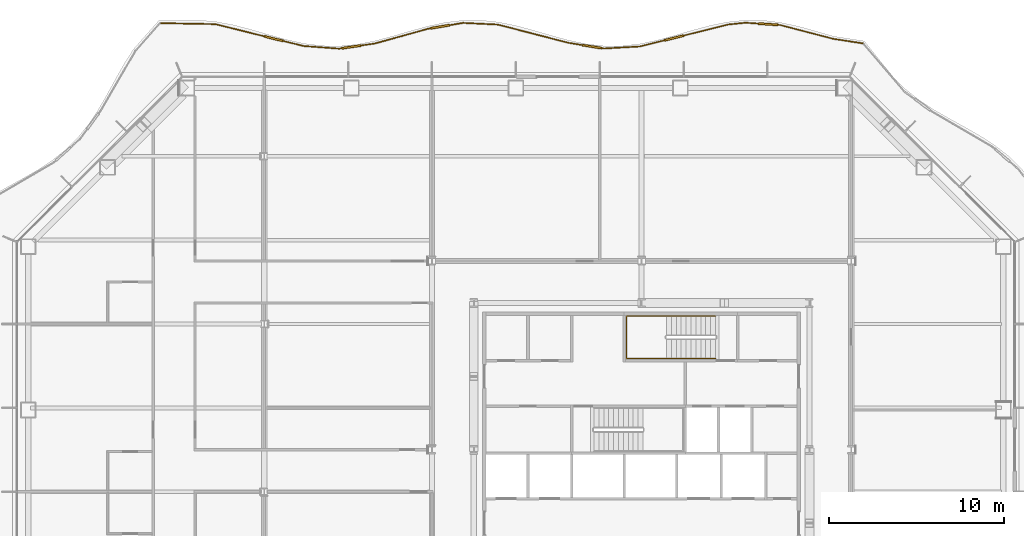
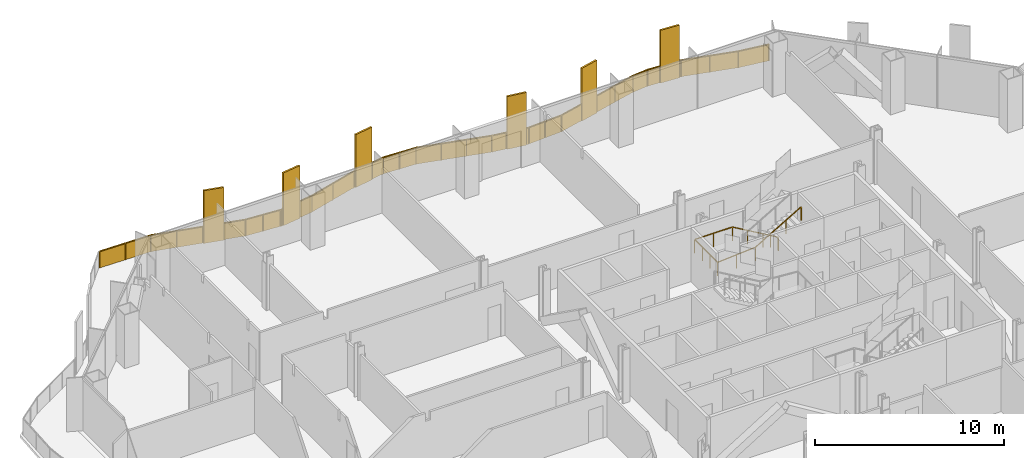
# One storey, part 17 of 18: 2 railings.
"""IFC4 building model written with IfcOpenShell, lengths in metres."""

import ifcopenshell
import ifcopenshell.guid

model = None  # the IFC model being written
_history = None  # IfcOwnerHistory: only IFC2X3 demands one
_inside = {}  # id of a spatial element -> (the spatial element, [elements in it])
_under = {}  # id of a project, library or spatial element -> (it, [spatial elements below it])
_declared = {}  # id of a project -> (the project, [libraries it declares])
_typed = {}  # id of a type object -> (the type object, [elements of that type])
_made_of = {}  # id of a material, layer set ... -> (it, [elements and type objects made of it])


def new_model(schema):
    """Start an empty IFC model of exactly this schema.

    Asked for "IFC4X3", IfcOpenShell would pick the latest addendum, in which some entities
    have other attributes; the version numbers below select the first issue.
    IFC2X3 requires an IfcOwnerHistory on every rooted entity: one is made here for all.
    """
    global model, _history
    if schema == "IFC4X3":
        model = ifcopenshell.file(schema_version=(4, 3, 0, 0))
    else:
        model = ifcopenshell.file(schema=schema)
    _inside.clear()
    _under.clear()
    _declared.clear()
    _typed.clear()
    _made_of.clear()
    _history = None
    if model.schema == "IFC2X3":
        org = make("IfcOrganization", Name="unknown")
        user = make(
            "IfcPersonAndOrganization",
            ThePerson=make("IfcPerson", FamilyName="unknown"),
            TheOrganization=org,
        )
        app = make(
            "IfcApplication",
            ApplicationDeveloper=org,
            Version="unknown",
            ApplicationFullName="unknown",
            ApplicationIdentifier="unknown",
        )
        _history = make(
            "IfcOwnerHistory",
            OwningUser=user,
            OwningApplication=app,
            ChangeAction="ADDED",
            CreationDate=0,
        )
    return model


def make(cls, **values):
    """One entity of the class cls with the attributes given. An attribute that is None is left unset."""
    return model.create_entity(
        cls, **{name: value for name, value in values.items() if value is not None}
    )


def rooted(cls, **values):
    """An entity with a GlobalId (a new one), such as an element, a storey or a relation."""
    return make(cls, GlobalId=ifcopenshell.guid.new(), OwnerHistory=_history, **values)


def si_unit(unit_type, name, prefix=None):
    """IfcSIUnit, for example si_unit("LENGTHUNIT", "METRE", prefix="MILLI")."""
    return make("IfcSIUnit", UnitType=unit_type, Prefix=prefix, Name=name)


def assignment(units):
    """IfcUnitAssignment: the units of a project."""
    return None if units is None else make("IfcUnitAssignment", Units=units)


def point(xyz):
    """IfcCartesianPoint."""
    return None if xyz is None else make("IfcCartesianPoint", Coordinates=xyz)


def direction(xyz):
    """IfcDirection."""
    return None if xyz is None else make("IfcDirection", DirectionRatios=xyz)


def frame(location, z_axis=None, x_axis=None):
    """IfcAxis2Placement3D, a coordinate frame: its origin and axes. An axis left out is left unset."""
    return make(
        "IfcAxis2Placement3D",
        Location=point(location),
        Axis=direction(z_axis),
        RefDirection=direction(x_axis),
    )


def frame_2d(location, x_axis=None):
    """IfcAxis2Placement2D, a coordinate frame in the plane: its origin and x axis."""
    return make(
        "IfcAxis2Placement2D", Location=point(location), RefDirection=direction(x_axis)
    )


def origin():
    """The frame at (0, 0, 0) with its axes left unset."""
    return frame((0.0, 0.0, 0.0))


def origin_2d():
    """The frame at (0, 0) in the plane with its x axis left unset."""
    return frame_2d((0.0, 0.0))


def place(relative_to, where):
    """IfcLocalPlacement: puts the frame where relative to a parent placement (None: the world)."""
    return make(
        "IfcLocalPlacement", PlacementRelTo=relative_to, RelativePlacement=where
    )


def context(
    kind, dimensions, precision=None, world=None, true_north=None, identifier=None
):
    """IfcGeometricRepresentationContext, for example the 3D "Model" context."""
    return make(
        "IfcGeometricRepresentationContext",
        ContextIdentifier=identifier,
        ContextType=kind,
        CoordinateSpaceDimension=dimensions,
        Precision=precision,
        WorldCoordinateSystem=world,
        TrueNorth=true_north,
    )


def subcontext(parent, identifier, kind, view, scale=None):
    """IfcGeometricRepresentationSubContext, for example "Body" below "Model"."""
    return make(
        "IfcGeometricRepresentationSubContext",
        ContextIdentifier=identifier,
        ContextType=kind,
        ParentContext=parent,
        TargetScale=scale,
        TargetView=view,
    )


def project(units=None, contexts=None):
    """IfcProject with its units and contexts."""
    return rooted(
        "IfcProject",
        Name="project",
        RepresentationContexts=contexts,
        UnitsInContext=assignment(units),
    )


def spatial(cls, under=None, at=None, **own):
    """A site, building, storey or space (cls), placed at a placement, below another one or the project."""
    s = rooted(cls, ObjectPlacement=at, **own)
    if under is not None:
        _under.setdefault(under.id(), (under, []))[1].append(s)
    return s


def polyline(points):
    """IfcPolyline through the points."""
    return make("IfcPolyline", Points=[point(p) for p in points])


def profile(cls, at=None, kind="AREA", **sizes):
    """A parametric profile (cls). Its sizes go by their IFC names, for example OverallWidth=200.0."""
    return make(cls, ProfileType=kind, Position=at, **sizes)


def rectangle(**sizes):
    """IfcRectangleProfileDef."""
    return profile("IfcRectangleProfileDef", **sizes)


def outline(outer, holes=None, kind="AREA"):
    """IfcArbitraryClosedProfileDef: a profile drawn as a closed curve; with holes, ...WithVoids."""
    if holes is None:
        return make("IfcArbitraryClosedProfileDef", ProfileType=kind, OuterCurve=outer)
    return make(
        "IfcArbitraryProfileDefWithVoids",
        ProfileType=kind,
        OuterCurve=outer,
        InnerCurves=holes,
    )


def extrude(swept, where, along, depth):
    """IfcExtrudedAreaSolid: the profile swept, set in the frame where, extruded along a direction by depth."""
    return make(
        "IfcExtrudedAreaSolid",
        SweptArea=swept,
        Position=where,
        ExtrudedDirection=direction(along),
        Depth=depth,
    )


def shape(context_of_items, identifier, shape_type, items):
    """IfcShapeRepresentation: the items that make up one representation, for example the "Body"."""
    return make(
        "IfcShapeRepresentation",
        ContextOfItems=context_of_items,
        RepresentationIdentifier=identifier,
        RepresentationType=shape_type,
        Items=items,
    )


def material(Name=None, Category=None):
    """IfcMaterial."""
    return make("IfcMaterial", Name=Name, Category=Category)


def made_of(thing, what):
    """Note that an element or type object is made of a material, layer set ...; save() writes the relation."""
    if what is not None:
        _made_of.setdefault(what.id(), (what, []))[1].append(thing)
    return thing


def type_object(cls, material=None, **own):
    """A type object (cls), such as IfcWallType, which elements share."""
    return made_of(rooted(cls, **own), material)


def element(
    cls,
    number,
    at=None,
    inside=None,
    cuts=None,
    type_object=None,
    material=None,
    context=None,
    identifier="Body",
    shape_type=None,
    held_by="IfcProductDefinitionShape",
    body=None,
    shapes=None,
    **own,
):
    """One element of the class cls, such as IfcWall. Its Tag is "e" and its number.

    at: its placement. inside: the storey or other place that contains it. cuts: it is an
    opening in that element (IfcRelVoidsElement). A single representation is given by context,
    identifier, shape_type and body (its items); several are given by shapes. held_by: the class
    of the entity that holds the representations. save() writes the other relations.
    """
    e = rooted(cls, Tag="e%d" % number, ObjectPlacement=at, **own)
    if body is not None:
        shapes = [shape(context, identifier, shape_type, body)]
    if shapes is not None:
        e.Representation = make(held_by, Representations=shapes)
    if inside is not None:
        _inside.setdefault(inside.id(), (inside, []))[1].append(e)
    if cuts is not None:
        rooted(
            "IfcRelVoidsElement", RelatingBuildingElement=cuts, RelatedOpeningElement=e
        )
    if type_object is not None:
        _typed.setdefault(type_object.id(), (type_object, []))[1].append(e)
    return made_of(e, material)


def aggregate(whole, parts):
    """IfcRelAggregates: a whole, such as a stair, and the parts it consists of."""
    return rooted("IfcRelAggregates", RelatingObject=whole, RelatedObjects=parts)


def save(model, path):
    """Write the relations noted so far, then the file.

    IfcRelAggregates (storeys below a building ...), IfcRelContainedInSpatialStructure (elements
    in a storey), IfcRelDefinesByType, IfcRelAssociatesMaterial and IfcRelDeclares: one each for
    every whole, place, type object, material and project.
    """
    for whole, parts in _under.values():
        aggregate(whole, parts)
    for where, things in _inside.values():
        rooted(
            "IfcRelContainedInSpatialStructure",
            RelatedElements=things,
            RelatingStructure=where,
        )
    for kind, things in _typed.values():
        rooted("IfcRelDefinesByType", RelatedObjects=things, RelatingType=kind)
    for what, things in _made_of.values():
        rooted("IfcRelAssociatesMaterial", RelatedObjects=things, RelatingMaterial=what)
    for by, libraries in _declared.values():
        rooted("IfcRelDeclares", RelatingContext=by, RelatedDefinitions=libraries)
    model.write(path)


model = new_model("IFC4")

# Units and contexts
model_context = context("Model", 3, precision=1e-05, world=origin(), true_north=direction((0.0, 1.0)))
body_context = subcontext(model_context, "Body", "Model", "MODEL_VIEW")
ifc_project = project(units=[si_unit("LENGTHUNIT", "METRE"), si_unit("AREAUNIT", "SQUARE_METRE"), si_unit("VOLUMEUNIT", "CUBIC_METRE"), si_unit("PLANEANGLEUNIT", "RADIAN"), si_unit("MASSUNIT", "GRAM", prefix="KILO")], contexts=[model_context])

# Site, building, storey
site_placement = place(None, origin())
site = spatial("IfcSite", under=ifc_project, at=site_placement, CompositionType="ELEMENT")
building_placement = place(site_placement, origin())
building = spatial("IfcBuilding", under=site, at=building_placement, Name="Cairn Pilgrim Tower", CompositionType="ELEMENT")
storey_placement = place(building_placement, frame((0.0, 0.0, 72.60009765625)))
storey = spatial("IfcBuildingStorey", under=building, at=storey_placement, Name="L16", CompositionType="ELEMENT", Elevation=72.60009765625)

# Railings
ifc_material_1 = material(Name="Bronze anodised aluminium rail, posts and fin screens with laminated glass infill", Category="aluminium")
railing_type_1 = type_object("IfcRailingType", Name="BALCONY GUARD WITH FIN SCREENS", PredefinedType="GUARDRAIL", material=ifc_material_1)
railing_1_placement = place(storey_placement, frame((19.8671875, 25.657958984375, 0.0)))
element("IfcRailing", 1, at=railing_1_placement, inside=storey, type_object=railing_type_1, Name="Balcony guard BGF-5 with fin screens", PredefinedType="GUARDRAIL", context=body_context, shape_type="SweptSolid", body=[
    extrude(rectangle(XDim=0.050048828125, YDim=0.050048828125, at=origin_2d()), frame((0.0, 0.0, 1.0751953125), z_axis=(-0.988673602471, 0.150081670358, 0.0), x_axis=(-0.150081670358, -0.988673602471, 0.0)), (0.0, 0.0, 1.0), 1.7275390625),
    extrude(rectangle(XDim=0.050048828125, YDim=0.050048828125, at=origin_2d()), frame((-1.7080078125, 0.25927734375, 1.0751953125), z_axis=(-0.967554226321, 0.252663450321, 0.0), x_axis=(-0.252663450321, -0.967554226321, 0.0)), (0.0, 0.0, 1.0), 3.126953125),
    extrude(rectangle(XDim=1.10009765625, YDim=0.110107421875, at=origin_2d()), frame((-5.431884765625, 1.095703125, 0.0), z_axis=(0.0, 0.0, 1.0), x_axis=(-0.997805650521, 0.066210903842, 0.0)), (0.0, 0.0, 1.0), 3.39990234375),
    extrude(rectangle(XDim=0.050048828125, YDim=0.050048828125, at=origin_2d()), frame((-4.7333984375, 1.04931640625, 1.0751953125), z_axis=(-0.997805650521, 0.066210903842, 0.0), x_axis=(-0.066210903842, -0.997805650521, 0.0)), (0.0, 0.0, 1.0), 0.14990234375),
    extrude(rectangle(XDim=0.050048828125, YDim=0.050048828125, at=origin_2d()), frame((-5.980712890625, 1.132080078125, 1.0751953125), z_axis=(-0.997805650521, 0.066210903842, 0.0), x_axis=(-0.066210903842, -0.997805650521, 0.0)), (0.0, 0.0, 1.0), 0.74853515625),
    extrude(rectangle(XDim=0.050048828125, YDim=0.050048828125, at=origin_2d()), frame((-6.7275390625, 1.181640625, 1.0751953125), z_axis=(-0.994675287043, -0.103058591808, 0.0), x_axis=(0.103058591808, -0.994675287043, 0.0)), (0.0, 0.0, 1.0), 0.99267578125),
    extrude(rectangle(XDim=1.10009765625, YDim=0.110107421875, at=origin_2d()), frame((-10.81787109375, 0.308349609375, 0.0), z_axis=(0.0, 0.0, 1.0), x_axis=(-0.970488827202, -0.241146089077, 0.0)), (0.0, 0.0, 1.0), 3.39990234375),
    extrude(rectangle(XDim=0.050048828125, YDim=0.050048828125, at=origin_2d()), frame((-7.71484375, 1.079345703125, 1.0751953125), z_axis=(-0.970488827202, -0.241146089077, 0.0), x_axis=(0.241146089077, -0.970488827202, 0.0)), (0.0, 0.0, 1.0), 2.6474609375),
    extrude(rectangle(XDim=0.050048828125, YDim=0.050048828125, at=origin_2d()), frame((-11.3515625, 0.17578125, 1.0751953125), z_axis=(-0.970488827202, -0.241146089077, 0.0), x_axis=(0.241146089077, -0.970488827202, 0.0)), (0.0, 0.0, 1.0), 1.462646484375),
    extrude(rectangle(XDim=0.050048828125, YDim=0.050048828125, at=origin_2d()), frame((-12.77099609375, -0.177001953125, 1.0751953125), z_axis=(-0.99837210781, -0.057036254671, 0.0), x_axis=(0.057036254671, -0.99837210781, 0.0)), (0.0, 0.0, 1.0), 2.0546875),
    extrude(rectangle(XDim=1.10009765625, YDim=0.110107421875, at=origin_2d()), frame((-15.513427734375, -0.183349609375, 0.0), z_axis=(0.0, 0.0, 1.0), x_axis=(-0.987376522111, 0.158390667606, 0.0)), (0.0, 0.0, 1.0), 3.39990234375),
    extrude(rectangle(XDim=0.050048828125, YDim=0.050048828125, at=origin_2d()), frame((-14.822265625, -0.294189453125, 1.0751953125), z_axis=(-0.987376522111, 0.158390667606, 0.0), x_axis=(-0.158390667606, -0.987376522111, 0.0)), (0.0, 0.0, 1.0), 0.14990234375),
    extrude(rectangle(XDim=0.050048828125, YDim=0.050048828125, at=origin_2d()), frame((-16.056396484375, -0.09619140625, 1.0751953125), z_axis=(-0.987376522111, 0.158390667606, 0.0), x_axis=(-0.158390667606, -0.987376522111, 0.0)), (0.0, 0.0, 1.0), 0.820068359375),
    extrude(rectangle(XDim=0.050048828125, YDim=0.050048828125, at=origin_2d()), frame((-16.8662109375, 0.03369140625, 1.0751953125), z_axis=(-0.968167478254, 0.250303284138, 0.0), x_axis=(-0.250303284138, -0.968167478254, 0.0)), (0.0, 0.0, 1.0), 4.166748046875),
    extrude(rectangle(XDim=0.050048828125, YDim=0.050048828125, at=origin_2d()), frame((-20.900390625, 1.07666015625, 1.0751953125), z_axis=(-0.998856739186, 0.047803918061, 0.0), x_axis=(-0.047803918061, -0.998856739186, 0.0)), (0.0, 0.0, 1.0), 1.99169921875),
    extrude(rectangle(XDim=1.10009765625, YDim=0.110107421875, at=origin_2d()), frame((-24.197021484375, 0.9521484375, 0.0), z_axis=(0.0, 0.0, 1.0), x_axis=(-0.986148493865, -0.165864848742, 0.0)), (0.0, 0.0, 1.0), 3.39990234375),
    extrude(rectangle(XDim=0.050048828125, YDim=0.050048828125, at=origin_2d()), frame((-22.889892578125, 1.171875, 1.0751953125), z_axis=(-0.986148493865, -0.165864848742, 0.0), x_axis=(0.165864848742, -0.986148493865, 0.0)), (0.0, 0.0, 1.0), 0.775390625),
    extrude(rectangle(XDim=0.050048828125, YDim=0.050048828125, at=origin_2d()), frame((-24.7392578125, 0.86083984375, 1.0751953125), z_axis=(-0.986148493865, -0.165864848742, 0.0), x_axis=(0.165864848742, -0.986148493865, 0.0)), (0.0, 0.0, 1.0), 0.14990234375),
    extrude(rectangle(XDim=0.050048828125, YDim=0.050048828125, at=origin_2d()), frame((-24.88720703125, 0.8359375, 1.0751953125), z_axis=(-0.963679976665, -0.267059735967, 0.0), x_axis=(0.267059735967, -0.963679976665, 0.0)), (0.0, 0.0, 1.0), 3.1474609375),
    extrude(rectangle(XDim=1.10009765625, YDim=0.110107421875, at=origin_2d()), frame((-29.2744140625, -0.201416015625, 0.0), z_axis=(0.0, 0.0, 1.0), x_axis=(-0.989611491107, -0.143767509085, 0.0)), (0.0, 0.0, 1.0), 3.39990234375),
    extrude(rectangle(XDim=0.050048828125, YDim=0.050048828125, at=origin_2d()), frame((-27.92041015625, -0.004638671875, 1.0751953125), z_axis=(-0.989611491107, -0.143767509085, 0.0), x_axis=(0.143767509085, -0.989611491107, 0.0)), (0.0, 0.0, 1.0), 0.818115234375),
    extrude(rectangle(XDim=0.050048828125, YDim=0.050048828125, at=origin_2d()), frame((-29.818603515625, -0.280517578125, 1.0751953125), z_axis=(-0.989611491107, -0.143767509085, 0.0), x_axis=(0.143767509085, -0.989611491107, 0.0)), (0.0, 0.0, 1.0), 0.150146484375),
    extrude(rectangle(XDim=0.050048828125, YDim=0.050048828125, at=origin_2d()), frame((-29.96728515625, -0.302001953125, 1.0751953125), z_axis=(-0.997241444051, 0.0742260215, 0.0), x_axis=(-0.0742260215, -0.997241444051, 0.0)), (0.0, 0.0, 1.0), 2.0556640625),
    extrude(rectangle(XDim=1.10009765625, YDim=0.110107421875, at=origin_2d()), frame((-33.7265625, 0.274169921875, 0.0), z_axis=(0.0, 0.0, 1.0), x_axis=(-0.970653918923, 0.240480705419, 0.0)), (0.0, 0.0, 1.0), 3.39990234375),
    extrude(rectangle(XDim=0.050048828125, YDim=0.050048828125, at=origin_2d()), frame((-32.017333984375, -0.1494140625, 1.0751953125), z_axis=(-0.970653918923, 0.240480705419, 0.0), x_axis=(-0.240480705419, -0.970653918923, 0.0)), (0.0, 0.0, 1.0), 1.2109375),
    extrude(rectangle(XDim=0.050048828125, YDim=0.050048828125, at=origin_2d()), frame((-34.260498046875, 0.40625, 1.0751953125), z_axis=(-0.970653918923, 0.240480705419, 0.0), x_axis=(-0.240480705419, -0.970653918923, 0.0)), (0.0, 0.0, 1.0), 2.89013671875),
    extrude(rectangle(XDim=0.050048828125, YDim=0.050048828125, at=origin_2d()), frame((-37.065673828125, 1.101318359375, 1.0751953125), z_axis=(-0.999837855358, 0.018007303883, 0.0), x_axis=(-0.018007303883, -0.999837855358, 0.0)), (0.0, 0.0, 1.0), 3.104736328125),
    extrude(rectangle(XDim=0.050048828125, YDim=0.050048828125, at=origin_2d()), origin(), (0.0, 0.0, 1.0), 1.050048828125),
    extrude(rectangle(XDim=0.050048828125, YDim=0.050048828125, at=origin_2d()), frame((-1.7080078125, 0.25927734375, 0.0)), (0.0, 0.0, 1.0), 1.050048828125),
    extrude(rectangle(XDim=0.050048828125, YDim=0.050048828125, at=origin_2d()), frame((-3.220703125, 0.654296875, 0.0)), (0.0, 0.0, 1.0), 1.050048828125),
    extrude(rectangle(XDim=0.050048828125, YDim=0.050048828125, at=origin_2d()), frame((-4.7333984375, 1.04931640625, 0.0)), (0.0, 0.0, 1.0), 1.050048828125),
    extrude(rectangle(XDim=0.050048828125, YDim=0.050048828125, at=origin_2d()), frame((-4.858154296875, 1.0576171875, 0.0)), (0.0, 0.0, 1.0), 1.050048828125),
    extrude(rectangle(XDim=0.050048828125, YDim=0.050048828125, at=origin_2d()), frame((-6.005615234375, 1.1337890625, 0.0)), (0.0, 0.0, 1.0), 1.050048828125),
    extrude(rectangle(XDim=0.050048828125, YDim=0.050048828125, at=origin_2d()), frame((-6.7275390625, 1.181640625, 0.0)), (0.0, 0.0, 1.0), 1.050048828125),
    extrude(rectangle(XDim=0.050048828125, YDim=0.050048828125, at=origin_2d()), frame((-7.71484375, 1.079345703125, 0.0)), (0.0, 0.0, 1.0), 1.050048828125),
    extrude(rectangle(XDim=0.050048828125, YDim=0.050048828125, at=origin_2d()), frame((-8.9873046875, 0.76318359375, 0.0)), (0.0, 0.0, 1.0), 1.050048828125),
    extrude(rectangle(XDim=0.050048828125, YDim=0.050048828125, at=origin_2d()), frame((-10.259765625, 0.447021484375, 0.0)), (0.0, 0.0, 1.0), 1.050048828125),
    extrude(rectangle(XDim=0.050048828125, YDim=0.050048828125, at=origin_2d()), frame((-11.3759765625, 0.169677734375, 0.0)), (0.0, 0.0, 1.0), 1.050048828125),
    extrude(rectangle(XDim=0.050048828125, YDim=0.050048828125, at=origin_2d()), frame((-12.77099609375, -0.177001953125, 0.0)), (0.0, 0.0, 1.0), 1.050048828125),
    extrude(rectangle(XDim=0.050048828125, YDim=0.050048828125, at=origin_2d()), frame((-13.796630859375, -0.235595703125, 0.0)), (0.0, 0.0, 1.0), 1.050048828125),
    extrude(rectangle(XDim=0.050048828125, YDim=0.050048828125, at=origin_2d()), frame((-14.822265625, -0.294189453125, 0.0)), (0.0, 0.0, 1.0), 1.050048828125),
    extrude(rectangle(XDim=0.050048828125, YDim=0.050048828125, at=origin_2d()), frame((-14.945556640625, -0.2744140625, 0.0)), (0.0, 0.0, 1.0), 1.050048828125),
    extrude(rectangle(XDim=0.050048828125, YDim=0.050048828125, at=origin_2d()), frame((-16.0810546875, -0.09228515625, 0.0)), (0.0, 0.0, 1.0), 1.050048828125),
    extrude(rectangle(XDim=0.050048828125, YDim=0.050048828125, at=origin_2d()), frame((-16.8662109375, 0.03369140625, 0.0)), (0.0, 0.0, 1.0), 1.050048828125),
    extrude(rectangle(XDim=0.050048828125, YDim=0.050048828125, at=origin_2d()), frame((-18.2109375, 0.38134765625, 0.0)), (0.0, 0.0, 1.0), 1.050048828125),
    extrude(rectangle(XDim=0.050048828125, YDim=0.050048828125, at=origin_2d()), frame((-19.5556640625, 0.72900390625, 0.0)), (0.0, 0.0, 1.0), 1.050048828125),
    extrude(rectangle(XDim=0.050048828125, YDim=0.050048828125, at=origin_2d()), frame((-20.900390625, 1.07666015625, 0.0)), (0.0, 0.0, 1.0), 1.050048828125),
    extrude(rectangle(XDim=0.050048828125, YDim=0.050048828125, at=origin_2d()), frame((-21.89501953125, 1.124267578125, 0.0)), (0.0, 0.0, 1.0), 1.050048828125),
    extrude(rectangle(XDim=0.050048828125, YDim=0.050048828125, at=origin_2d()), frame((-22.889892578125, 1.171875, 0.0)), (0.0, 0.0, 1.0), 1.050048828125),
    extrude(rectangle(XDim=0.050048828125, YDim=0.050048828125, at=origin_2d()), frame((-23.6298828125, 1.04736328125, 0.0)), (0.0, 0.0, 1.0), 1.050048828125),
    extrude(rectangle(XDim=0.050048828125, YDim=0.050048828125, at=origin_2d()), frame((-24.763916015625, 0.856689453125, 0.0)), (0.0, 0.0, 1.0), 1.050048828125),
    extrude(rectangle(XDim=0.050048828125, YDim=0.050048828125, at=origin_2d()), frame((-24.88720703125, 0.8359375, 0.0)), (0.0, 0.0, 1.0), 1.050048828125),
    extrude(rectangle(XDim=0.050048828125, YDim=0.050048828125, at=origin_2d()), frame((-26.40380859375, 0.41552734375, 0.0)), (0.0, 0.0, 1.0), 1.050048828125),
    extrude(rectangle(XDim=0.050048828125, YDim=0.050048828125, at=origin_2d()), frame((-27.92041015625, -0.004638671875, 0.0)), (0.0, 0.0, 1.0), 1.050048828125),
    extrude(rectangle(XDim=0.050048828125, YDim=0.050048828125, at=origin_2d()), frame((-28.705322265625, -0.11865234375, 0.0)), (0.0, 0.0, 1.0), 1.050048828125),
    extrude(rectangle(XDim=0.050048828125, YDim=0.050048828125, at=origin_2d()), frame((-29.843505859375, -0.283935546875, 0.0)), (0.0, 0.0, 1.0), 1.050048828125),
    extrude(rectangle(XDim=0.050048828125, YDim=0.050048828125, at=origin_2d()), frame((-29.96728515625, -0.302001953125, 0.0)), (0.0, 0.0, 1.0), 1.050048828125),
    extrude(rectangle(XDim=0.050048828125, YDim=0.050048828125, at=origin_2d()), frame((-30.9921875, -0.2255859375, 0.0)), (0.0, 0.0, 1.0), 1.050048828125),
    extrude(rectangle(XDim=0.050048828125, YDim=0.050048828125, at=origin_2d()), frame((-32.017333984375, -0.1494140625, 0.0)), (0.0, 0.0, 1.0), 1.050048828125),
    extrude(rectangle(XDim=0.050048828125, YDim=0.050048828125, at=origin_2d()), frame((-33.16845703125, 0.1357421875, 0.0)), (0.0, 0.0, 1.0), 1.050048828125),
    extrude(rectangle(XDim=0.050048828125, YDim=0.050048828125, at=origin_2d()), frame((-34.28466796875, 0.412353515625, 0.0)), (0.0, 0.0, 1.0), 1.050048828125),
    extrude(rectangle(XDim=0.050048828125, YDim=0.050048828125, at=origin_2d()), frame((-35.67529296875, 0.7568359375, 0.0)), (0.0, 0.0, 1.0), 1.050048828125),
    extrude(rectangle(XDim=0.050048828125, YDim=0.050048828125, at=origin_2d()), frame((-37.065673828125, 1.101318359375, 0.0)), (0.0, 0.0, 1.0), 1.050048828125),
    extrude(rectangle(XDim=0.050048828125, YDim=0.050048828125, at=origin_2d()), frame((-38.61767578125, 1.12939453125, 0.0)), (0.0, 0.0, 1.0), 1.050048828125),
    extrude(rectangle(XDim=0.050048828125, YDim=0.050048828125, at=origin_2d()), frame((-40.169921875, 1.1572265625, 0.0)), (0.0, 0.0, 1.0), 1.050048828125),
    extrude(outline(polyline([(0.02490234375, 0.0), (1.70263671875, 0.0), (1.70263671875, 1.050048828125), (0.02490234375, 1.050048828125), (0.02490234375, 0.0)])), frame((-0.0009765625, -0.005859375, 0.0), z_axis=(0.150081670358, 0.988673602471, 0.0), x_axis=(-0.988673602471, 0.150081670358, 0.0)), (0.0, 0.0, 1.0), 0.011962890625),
    extrude(outline(polyline([(0.02490234375, 0.0), (1.538330078125, 0.0), (1.538330078125, 1.050048828125), (0.02490234375, 1.050048828125), (0.02490234375, 0.0)])), frame((-1.70947265625, 0.25341796875, 0.0), z_axis=(0.252663450321, 0.967554226321, 0.0), x_axis=(-0.967554226321, 0.252663450321, 0.0)), (0.0, 0.0, 1.0), 0.011962890625),
    extrude(outline(polyline([(0.02490234375, 0.0), (1.538330078125, 0.0), (1.538330078125, 1.050048828125), (0.02490234375, 1.050048828125), (0.02490234375, 0.0)])), frame((-3.22216796875, 0.6484375, 0.0), z_axis=(0.252663450321, 0.967554226321, 0.0), x_axis=(-0.967554226321, 0.252663450321, 0.0)), (0.0, 0.0, 1.0), 0.011962890625),
    extrude(outline(polyline([(0.02490234375, 0.0), (0.099853515625, 0.0), (0.099853515625, 1.050048828125), (0.02490234375, 1.050048828125), (0.02490234375, 0.0)])), frame((-4.73388671875, 1.04345703125, 0.0), z_axis=(0.066210903842, 0.997805650521, 0.0), x_axis=(-0.997805650521, 0.066210903842, 0.0)), (0.0, 0.0, 1.0), 0.011962890625),
    extrude(outline(polyline([(0.02490234375, 0.0), (0.698486328125, 0.0), (0.698486328125, 1.050048828125), (0.02490234375, 1.050048828125), (0.02490234375, 0.0)])), frame((-6.006103515625, 1.127685546875, 0.0), z_axis=(0.066210903842, 0.997805650521, 0.0), x_axis=(-0.997805650521, 0.066210903842, 0.0)), (0.0, 0.0, 1.0), 0.011962890625),
    extrude(outline(polyline([(0.02490234375, 0.0), (0.967529296875, 0.0), (0.967529296875, 1.050048828125), (0.02490234375, 1.050048828125), (0.02490234375, 0.0)])), frame((-6.726806640625, 1.17578125, 0.0), z_axis=(-0.103058591808, 0.994675287043, 0.0), x_axis=(-0.994675287043, -0.103058591808, 0.0)), (0.0, 0.0, 1.0), 0.011962890625),
    extrude(outline(polyline([(0.02490234375, 0.0), (1.2861328125, 0.0), (1.2861328125, 1.050048828125), (0.02490234375, 1.050048828125), (0.02490234375, 0.0)])), frame((-7.71337890625, 1.073486328125, 0.0), z_axis=(-0.241146089077, 0.970488827202, 0.0), x_axis=(-0.970488827202, -0.241146089077, 0.0)), (0.0, 0.0, 1.0), 0.011962890625),
    extrude(outline(polyline([(0.02490234375, 0.0), (1.2861328125, 0.0), (1.2861328125, 1.050048828125), (0.02490234375, 1.050048828125), (0.02490234375, 0.0)])), frame((-8.98583984375, 0.75732421875, 0.0), z_axis=(-0.241146089077, 0.970488827202, 0.0), x_axis=(-0.970488827202, -0.241146089077, 0.0)), (0.0, 0.0, 1.0), 0.011962890625),
    extrude(outline(polyline([(0.02490234375, 0.0), (1.41259765625, 0.0), (1.41259765625, 1.050048828125), (0.02490234375, 1.050048828125), (0.02490234375, 0.0)])), frame((-11.37451171875, 0.163818359375, 0.0), z_axis=(-0.241146089077, 0.970488827202, 0.0), x_axis=(-0.970488827202, -0.241146089077, 0.0)), (0.0, 0.0, 1.0), 0.011962890625),
    extrude(outline(polyline([(0.02490234375, 0.0), (1.002197265625, 0.0), (1.002197265625, 1.050048828125), (0.02490234375, 1.050048828125), (0.02490234375, 0.0)])), frame((-12.770751953125, -0.182861328125, 0.0), z_axis=(-0.057036254671, 0.99837210781, 0.0), x_axis=(-0.99837210781, -0.057036254671, 0.0)), (0.0, 0.0, 1.0), 0.011962890625),
    extrude(outline(polyline([(0.02490234375, 0.0), (1.002197265625, 0.0), (1.002197265625, 1.050048828125), (0.02490234375, 1.050048828125), (0.02490234375, 0.0)])), frame((-13.79638671875, -0.241455078125, 0.0), z_axis=(-0.057036254671, 0.99837210781, 0.0), x_axis=(-0.99837210781, -0.057036254671, 0.0)), (0.0, 0.0, 1.0), 0.011962890625),
    extrude(outline(polyline([(0.02490234375, 0.0), (0.099853515625, 0.0), (0.099853515625, 1.050048828125), (0.02490234375, 1.050048828125), (0.02490234375, 0.0)])), frame((-14.8232421875, -0.300048828125, 0.0), z_axis=(0.158390667606, 0.987376522111, 0.0), x_axis=(-0.987376522111, 0.158390667606, 0.0)), (0.0, 0.0, 1.0), 0.011962890625),
    extrude(outline(polyline([(0.02490234375, 0.0), (0.77001953125, 0.0), (0.77001953125, 1.050048828125), (0.02490234375, 1.050048828125), (0.02490234375, 0.0)])), frame((-16.08203125, -0.09814453125, 0.0), z_axis=(0.158390667606, 0.987376522111, 0.0), x_axis=(-0.987376522111, 0.158390667606, 0.0)), (0.0, 0.0, 1.0), 0.011962890625),
    extrude(outline(polyline([(0.02490234375, 0.0), (1.364013671875, 0.0), (1.364013671875, 1.050048828125), (0.02490234375, 1.050048828125), (0.02490234375, 0.0)])), frame((-16.86767578125, 0.02783203125, 0.0), z_axis=(0.250303284138, 0.968167478254, 0.0), x_axis=(-0.968167478254, 0.250303284138, 0.0)), (0.0, 0.0, 1.0), 0.011962890625),
    extrude(outline(polyline([(0.02490234375, 0.0), (1.364013671875, 0.0), (1.364013671875, 1.050048828125), (0.02490234375, 1.050048828125), (0.02490234375, 0.0)])), frame((-18.21240234375, 0.37548828125, 0.0), z_axis=(0.250303284138, 0.968167478254, 0.0), x_axis=(-0.968167478254, 0.250303284138, 0.0)), (0.0, 0.0, 1.0), 0.011962890625),
    extrude(outline(polyline([(0.02490234375, 0.0), (1.364013671875, 0.0), (1.364013671875, 1.050048828125), (0.02490234375, 1.050048828125), (0.02490234375, 0.0)])), frame((-19.55712890625, 0.72314453125, 0.0), z_axis=(0.250303284138, 0.968167478254, 0.0), x_axis=(-0.968167478254, 0.250303284138, 0.0)), (0.0, 0.0, 1.0), 0.011962890625),
    extrude(outline(polyline([(0.02490234375, 0.0), (0.970947265625, 0.0), (0.970947265625, 1.050048828125), (0.02490234375, 1.050048828125), (0.02490234375, 0.0)])), frame((-20.900634765625, 1.07080078125, 0.0), z_axis=(0.047803918061, 0.998856739186, 0.0), x_axis=(-0.998856739186, 0.047803918061, 0.0)), (0.0, 0.0, 1.0), 0.011962890625),
    extrude(outline(polyline([(0.02490234375, 0.0), (0.970947265625, 0.0), (0.970947265625, 1.050048828125), (0.02490234375, 1.050048828125), (0.02490234375, 0.0)])), frame((-21.8955078125, 1.118408203125, 0.0), z_axis=(0.047803918061, 0.998856739186, 0.0), x_axis=(-0.998856739186, 0.047803918061, 0.0)), (0.0, 0.0, 1.0), 0.011962890625),
    extrude(outline(polyline([(0.02490234375, 0.0), (0.725341796875, 0.0), (0.725341796875, 1.050048828125), (0.02490234375, 1.050048828125), (0.02490234375, 0.0)])), frame((-22.888916015625, 1.166015625, 0.0), z_axis=(-0.165864848742, 0.986148493865, 0.0), x_axis=(-0.986148493865, -0.165864848742, 0.0)), (0.0, 0.0, 1.0), 0.011962890625),
    extrude(outline(polyline([(0.02490234375, 0.0), (0.099853515625, 0.0), (0.099853515625, 1.050048828125), (0.02490234375, 1.050048828125), (0.02490234375, 0.0)])), frame((-24.762939453125, 0.850830078125, 0.0), z_axis=(-0.165864848742, 0.986148493865, 0.0), x_axis=(-0.986148493865, -0.165864848742, 0.0)), (0.0, 0.0, 1.0), 0.011962890625),
    extrude(outline(polyline([(0.02490234375, 0.0), (1.548828125, 0.0), (1.548828125, 1.050048828125), (0.02490234375, 1.050048828125), (0.02490234375, 0.0)])), frame((-24.885498046875, 0.830078125, 0.0), z_axis=(-0.267059735967, 0.963679976665, 0.0), x_axis=(-0.963679976665, -0.267059735967, 0.0)), (0.0, 0.0, 1.0), 0.011962890625),
    extrude(outline(polyline([(0.02490234375, 0.0), (1.548828125, 0.0), (1.548828125, 1.050048828125), (0.02490234375, 1.050048828125), (0.02490234375, 0.0)])), frame((-26.402099609375, 0.409912109375, 0.0), z_axis=(-0.267059735967, 0.963679976665, 0.0), x_axis=(-0.963679976665, -0.267059735967, 0.0)), (0.0, 0.0, 1.0), 0.011962890625),
    extrude(outline(polyline([(0.02490234375, 0.0), (0.76806640625, 0.0), (0.76806640625, 1.050048828125), (0.02490234375, 1.050048828125), (0.02490234375, 0.0)])), frame((-27.91943359375, -0.010498046875, 0.0), z_axis=(-0.143767509085, 0.989611491107, 0.0), x_axis=(-0.989611491107, -0.143767509085, 0.0)), (0.0, 0.0, 1.0), 0.011962890625),
    extrude(outline(polyline([(0.02490234375, 0.0), (0.10009765625, 0.0), (0.10009765625, 1.050048828125), (0.02490234375, 1.050048828125), (0.02490234375, 0.0)])), frame((-29.842529296875, -0.2900390625, 0.0), z_axis=(-0.143767509085, 0.989611491107, 0.0), x_axis=(-0.989611491107, -0.143767509085, 0.0)), (0.0, 0.0, 1.0), 0.011962890625),
    extrude(outline(polyline([(0.02490234375, 0.0), (1.0029296875, 0.0), (1.0029296875, 1.050048828125), (0.02490234375, 1.050048828125), (0.02490234375, 0.0)])), frame((-29.9677734375, -0.307861328125, 0.0), z_axis=(0.0742260215, 0.997241444051, 0.0), x_axis=(-0.997241444051, 0.0742260215, 0.0)), (0.0, 0.0, 1.0), 0.011962890625),
    extrude(outline(polyline([(0.02490234375, 0.0), (1.0029296875, 0.0), (1.0029296875, 1.050048828125), (0.02490234375, 1.050048828125), (0.02490234375, 0.0)])), frame((-30.99267578125, -0.231689453125, 0.0), z_axis=(0.0742260215, 0.997241444051, 0.0), x_axis=(-0.997241444051, 0.0742260215, 0.0)), (0.0, 0.0, 1.0), 0.011962890625),
    extrude(outline(polyline([(0.02490234375, 0.0), (1.160888671875, 0.0), (1.160888671875, 1.050048828125), (0.02490234375, 1.050048828125), (0.02490234375, 0.0)])), frame((-32.018798828125, -0.1552734375, 0.0), z_axis=(0.240480705419, 0.970653918923, 0.0), x_axis=(-0.970653918923, 0.240480705419, 0.0)), (0.0, 0.0, 1.0), 0.011962890625),
    extrude(outline(polyline([(0.02490234375, 0.0), (1.407470703125, 0.0), (1.407470703125, 1.050048828125), (0.02490234375, 1.050048828125), (0.02490234375, 0.0)])), frame((-34.2861328125, 0.406494140625, 0.0), z_axis=(0.240480705419, 0.970653918923, 0.0), x_axis=(-0.970653918923, 0.240480705419, 0.0)), (0.0, 0.0, 1.0), 0.011962890625),
    extrude(outline(polyline([(0.02490234375, 0.0), (1.407470703125, 0.0), (1.407470703125, 1.050048828125), (0.02490234375, 1.050048828125), (0.02490234375, 0.0)])), frame((-35.676513671875, 0.7509765625, 0.0), z_axis=(0.240480705419, 0.970653918923, 0.0), x_axis=(-0.970653918923, 0.240480705419, 0.0)), (0.0, 0.0, 1.0), 0.011962890625),
    extrude(outline(polyline([(0.02490234375, 0.0), (1.52734375, 0.0), (1.52734375, 1.050048828125), (0.02490234375, 1.050048828125), (0.02490234375, 0.0)])), frame((-37.065673828125, 1.095458984375, 0.0), z_axis=(0.018007303883, 0.999837855358, 0.0), x_axis=(-0.999837855358, 0.018007303883, 0.0)), (0.0, 0.0, 1.0), 0.011962890625),
    extrude(outline(polyline([(0.02490234375, 0.0), (1.52734375, 0.0), (1.52734375, 1.050048828125), (0.02490234375, 1.050048828125), (0.02490234375, 0.0)])), frame((-38.617919921875, 1.123291015625, 0.0), z_axis=(0.018007303883, 0.999837855358, 0.0), x_axis=(-0.999837855358, 0.018007303883, 0.0)), (0.0, 0.0, 1.0), 0.011962890625),
])
ifc_material_2 = material(Name="Painted steel", Category="steel")
railing_type_2 = type_object("IfcRailingType", Name="STAIR HANDRAIL 900", PredefinedType="HANDRAIL", material=ifc_material_2)
railing_2_placement = place(storey_placement, frame((11.425048828125, 10.050048828125, 0.16357421875)))
element("IfcRailing", 2, at=railing_2_placement, inside=storey, type_object=railing_type_2, Name="L16 ST-C stair handrail 1", PredefinedType="HANDRAIL", context=body_context, shape_type="SweptSolid", body=[
    extrude(rectangle(XDim=0.048095703125, YDim=0.048095703125, at=origin_2d()), frame((0.0, 0.0, 0.8759765625), z_axis=(-0.863393664356, 0.0, 0.504530851732), x_axis=(0.0, -1.0, 0.0)), (0.0, 0.0, 1.0), 3.2431640625),
    extrude(rectangle(XDim=0.048095703125, YDim=0.048095703125, at=origin_2d()), frame((-2.800048828125, 0.0, 2.51220703125), z_axis=(-1.0, 0.0, 0.0), x_axis=(0.0, -1.0, 0.0)), (0.0, 0.0, 1.0), 2.300048828125),
    extrude(rectangle(XDim=0.048095703125, YDim=0.048095703125, at=origin_2d()), frame((-5.10009765625, 0.0, 2.51220703125), z_axis=(0.0, -1.0, 0.0), x_axis=(1.0, 0.0, 0.0)), (0.0, 0.0, 1.0), 2.425048828125),
    extrude(rectangle(XDim=0.048095703125, YDim=0.048095703125, at=origin_2d()), frame((-5.10009765625, -2.425048828125, 2.51220703125), z_axis=(0.99747319029, 0.0, 0.071043892441), x_axis=(0.0, 1.0, 0.0)), (0.0, 0.0, 1.0), 2.305908203125),
    extrude(rectangle(XDim=0.048095703125, YDim=0.048095703125, at=origin_2d()), frame((-2.800048828125, -2.425048828125, 2.67578125), z_axis=(0.863393664356, 0.0, 0.504530851732), x_axis=(0.0, 1.0, 0.0)), (0.0, 0.0, 1.0), 3.2431640625),
    extrude(rectangle(XDim=0.0419921875, YDim=0.0419921875, at=origin_2d()), origin(), (0.0, 0.0, 1.0), 0.851806640625),
    extrude(rectangle(XDim=0.0419921875, YDim=0.0419921875, at=origin_2d()), frame((-0.933349609375, 0.0, 0.54541015625)), (0.0, 0.0, 1.0), 0.851806640625),
    extrude(rectangle(XDim=0.0419921875, YDim=0.0419921875, at=origin_2d()), frame((-1.86669921875, 0.0, 1.0908203125)), (0.0, 0.0, 1.0), 0.851806640625),
    extrude(rectangle(XDim=0.0419921875, YDim=0.0419921875, at=origin_2d()), frame((-2.800048828125, 0.0, 1.63623046875)), (0.0, 0.0, 1.0), 0.851806640625),
    extrude(rectangle(XDim=0.0419921875, YDim=0.0419921875, at=origin_2d()), frame((-3.9501953125, 0.0, 1.63623046875)), (0.0, 0.0, 1.0), 0.851806640625),
    extrude(rectangle(XDim=0.0419921875, YDim=0.0419921875, at=origin_2d()), frame((-5.10009765625, 0.0, 1.63623046875)), (0.0, 0.0, 1.0), 0.851806640625),
    extrude(rectangle(XDim=0.0419921875, YDim=0.0419921875, at=origin_2d()), frame((-5.10009765625, -0.808349609375, 1.63623046875)), (0.0, 0.0, 1.0), 0.851806640625),
    extrude(rectangle(XDim=0.0419921875, YDim=0.0419921875, at=origin_2d()), frame((-5.10009765625, -1.61669921875, 1.63623046875)), (0.0, 0.0, 1.0), 0.851806640625),
    extrude(rectangle(XDim=0.0419921875, YDim=0.0419921875, at=origin_2d()), frame((-5.10009765625, -2.425048828125, 1.63623046875)), (0.0, 0.0, 1.0), 0.851806640625),
    extrude(rectangle(XDim=0.0419921875, YDim=0.0419921875, at=origin_2d()), frame((-3.9501953125, -2.425048828125, 1.71826171875)), (0.0, 0.0, 1.0), 0.851806640625),
    extrude(rectangle(XDim=0.0419921875, YDim=0.0419921875, at=origin_2d()), frame((-2.800048828125, -2.425048828125, 1.800048828125)), (0.0, 0.0, 1.0), 0.851806640625),
    extrude(rectangle(XDim=0.0419921875, YDim=0.0419921875, at=origin_2d()), frame((-1.86669921875, -2.425048828125, 2.345458984375)), (0.0, 0.0, 1.0), 0.851806640625),
    extrude(rectangle(XDim=0.0419921875, YDim=0.0419921875, at=origin_2d()), frame((-0.933349609375, -2.425048828125, 2.890869140625)), (0.0, 0.0, 1.0), 0.851806640625),
    extrude(rectangle(XDim=0.0419921875, YDim=0.0419921875, at=origin_2d()), frame((0.0, -2.425048828125, 3.436279296875)), (0.0, 0.0, 1.0), 0.851806640625),
])

save(model, "model.ifc")
